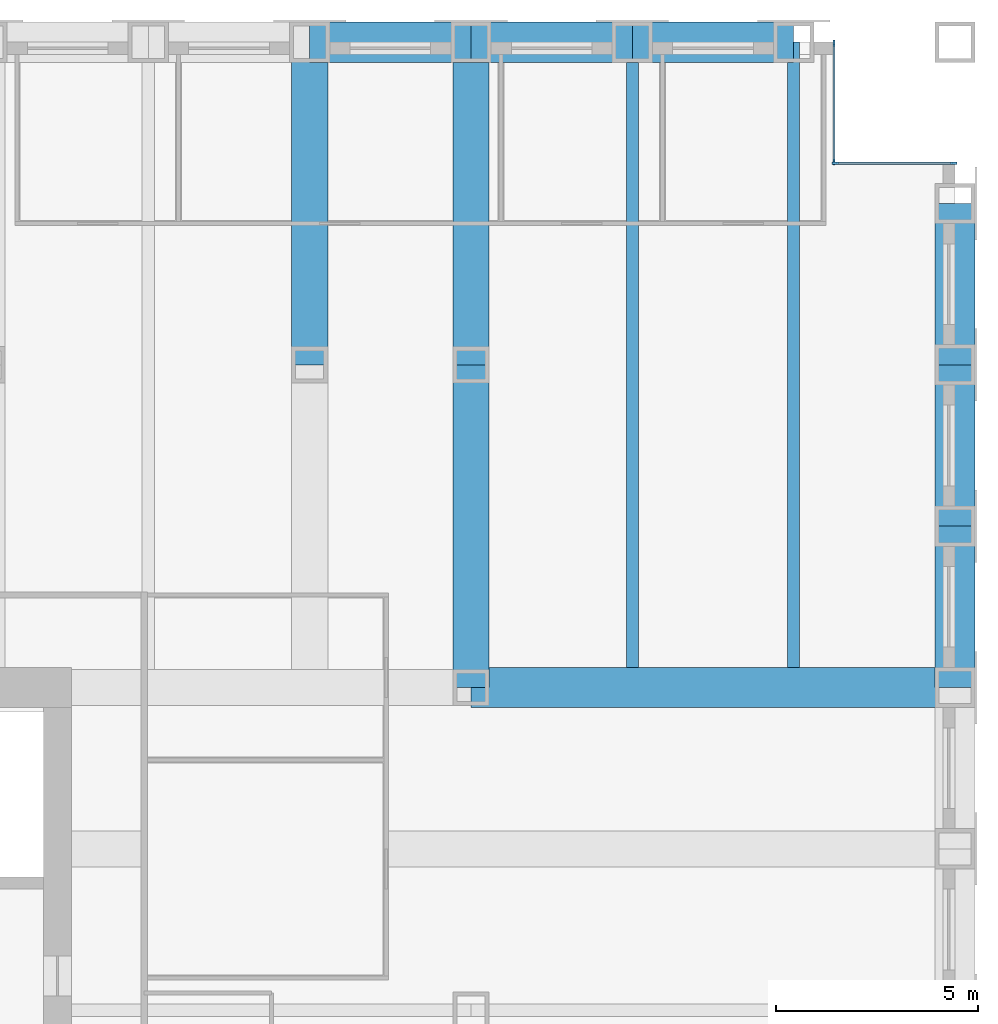
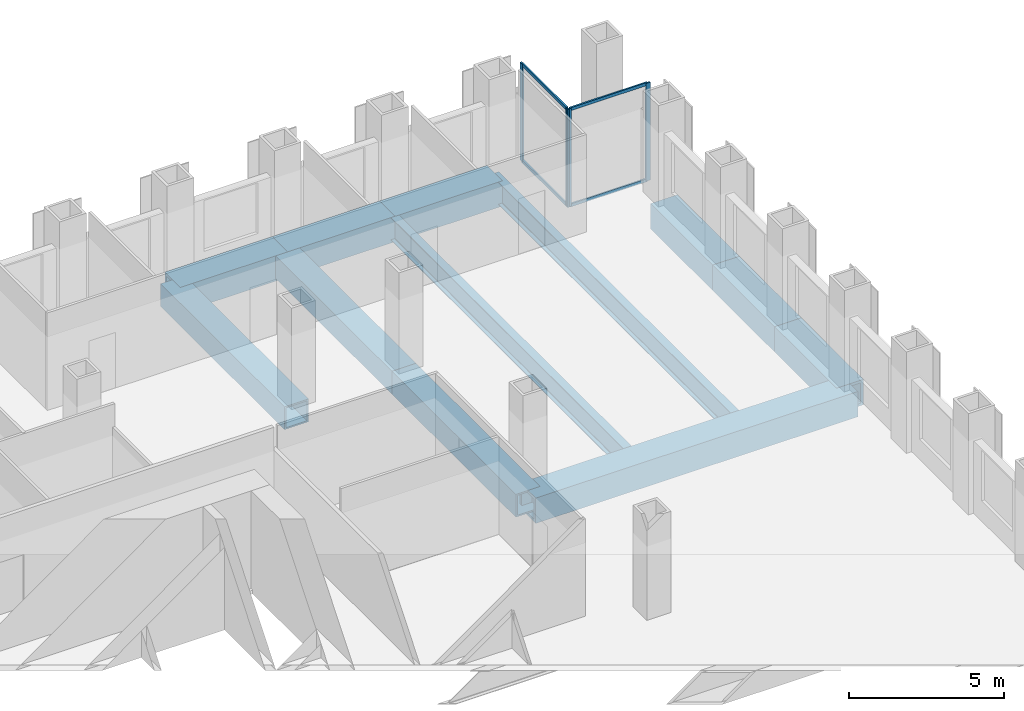
# One storey, part 9 of 15: 12 beams, 8 members, 2 elements without a shape of their own.
"""IFC4 building model written with IfcOpenShell, lengths in metres."""

from ifc_helpers import new_model, si_unit, direction, frame, origin, origin_2d, place, context, subcontext, project, spatial, rectangle, hollow_rectangle, i_section, extrude, material, material_profile, profile_set, type_object, element, aggregate, save


model = new_model("IFC4")

# Units and contexts
model_context = context("Model", 3, precision=1e-05, world=origin(), true_north=direction((0.0, 1.0)))
body_context = subcontext(model_context, "Body", "Model", "MODEL_VIEW")
ifc_project = project(units=[si_unit("LENGTHUNIT", "METRE"), si_unit("AREAUNIT", "SQUARE_METRE"), si_unit("VOLUMEUNIT", "CUBIC_METRE"), si_unit("PLANEANGLEUNIT", "RADIAN"), si_unit("MASSUNIT", "GRAM", prefix="KILO")], contexts=[model_context])

# Site, building, storey
site_placement = place(None, origin())
site = spatial("IfcSite", under=ifc_project, at=site_placement, CompositionType="ELEMENT")
building_placement = place(site_placement, origin())
building = spatial("IfcBuilding", under=site, at=building_placement, Name="Rimbunsela Tower", CompositionType="ELEMENT")
storey_placement = place(building_placement, frame((0.0, 0.0, 113.39990234375)))
storey = spatial("IfcBuildingStorey", under=building, at=storey_placement, Name="L27", CompositionType="ELEMENT", Elevation=113.39990234375)

# Beams
ifc_material_1 = material(Name="Steel BJ 55 (fy 410 MPa)", Category="steel")
ifc_material_profile_1 = material_profile(ifc_material_1, hollow_rectangle(XDim=1.0, YDim=1.0, WallThickness=0.10009765625, at=origin_2d()), Name="BOX 1000x1000x100")
ifc_profile_set_1 = profile_set([ifc_material_profile_1], Name="Steel BJ 55 (fy 410 MPa)")
beam_type_1 = type_object("IfcBeamType", Name="Beam BOX 1000x1000x100", PredefinedType="BEAM", material=ifc_profile_set_1)
beam_1_placement = place(storey_placement, frame((42.0, 52.0, -0.64990234375), z_axis=(1.0, 0.0, 0.0), x_axis=(0.0, 1.0, 0.0)))
element("IfcBeam", 1, at=beam_1_placement, inside=storey, type_object=beam_type_1, Name="Beam B3 L27", PredefinedType="BEAM", context=body_context, shape_type="SweptSolid", body=[
    extrude(hollow_rectangle(XDim=1.0, YDim=1.0, WallThickness=0.10009765625, at=origin_2d()), origin(), (0.0, 0.0, 1.0), 4.0),
])
beam_2_placement = place(storey_placement, frame((46.0, 36.0, -0.64990234375), z_axis=(1.0, 0.0, 0.0), x_axis=(0.0, 1.0, 0.0)))
element("IfcBeam", 2, at=beam_2_placement, inside=storey, type_object=beam_type_1, Name="Beam B3 L27", PredefinedType="BEAM", context=body_context, shape_type="SweptSolid", body=[
    extrude(hollow_rectangle(XDim=1.0, YDim=1.0, WallThickness=0.10009765625, at=origin_2d()), origin(), (0.0, 0.0, 1.0), 12.0),
])
for number, where, z_axis, x_axis, name in (
    (3, (46.0, 52.0, -0.64990234375), (1.0, 0.0, 0.0), (0.0, 1.0, 0.0), "Beam B3 L27"),
    (4, (50.0, 52.0, -0.64990234375), (1.0, 0.0, 0.0), (0.0, 1.0, 0.0), "Beam B3 L27"),
    (5, (58.0, 36.0, -0.64990234375), (0.0, 1.0, 0.0), (-1.0, 0.0, 0.0), "Beam B3 L27"),
    (6, (58.0, 40.0, -0.64990234375), (0.0, 1.0, 0.0), (-1.0, 0.0, 0.0), "Beam B3 L27"),
    (7, (58.0, 44.0, -0.64990234375), (0.0, 1.0, 0.0), (-1.0, 0.0, 0.0), "Beam B3 L27"),
):
    element("IfcBeam", number, at=place(storey_placement, frame(where, z_axis=z_axis, x_axis=x_axis)), inside=storey, type_object=beam_type_1, Name=name, PredefinedType="BEAM", context=body_context, shape_type="SweptSolid", body=[
        extrude(hollow_rectangle(XDim=1.0, YDim=1.0, WallThickness=0.10009765625, at=origin_2d()), origin(), (0.0, 0.0, 1.0), 4.0),
    ])
ifc_material_2 = material(Name="Steel BJ 55 (fy 410 MPa)", Category="steel")
ifc_material_profile_2 = material_profile(ifc_material_2, hollow_rectangle(XDim=0.89990234375, YDim=0.89990234375, WallThickness=0.06005859375, at=origin_2d()), Name="BOX 900x900x60")
ifc_profile_set_2 = profile_set([ifc_material_profile_2], Name="Steel BJ 55 (fy 410 MPa)")
beam_type_2 = type_object("IfcBeamType", Name="Beam BOX 900x900x60", PredefinedType="BEAM", material=ifc_profile_set_2)
for number, where, z_axis, x_axis, name in (
    (8, (42.0, 44.0, -0.599853515625), (0.0, 1.0, 0.0), (-1.0, 0.0, 0.0), "Beam B1 L27"),
    (9, (46.0, 36.0, -0.599853515625), (0.0, 1.0, 0.0), (-1.0, 0.0, 0.0), "Beam B1 L27"),
    (10, (46.0, 44.0, -0.599853515625), (0.0, 1.0, 0.0), (-1.0, 0.0, 0.0), "Beam B1 L27"),
):
    element("IfcBeam", number, at=place(storey_placement, frame(where, z_axis=z_axis, x_axis=x_axis)), inside=storey, type_object=beam_type_2, Name=name, PredefinedType="BEAM", context=body_context, shape_type="SweptSolid", body=[
        extrude(hollow_rectangle(XDim=0.89990234375, YDim=0.89990234375, WallThickness=0.06005859375, at=origin_2d()), origin(), (0.0, 0.0, 1.0), 8.0),
    ])
ifc_material_3 = material(Name="Steel BJ 55 (fy 410 MPa)", Category="steel")
ifc_material_profile_3 = material_profile(ifc_material_3, i_section(OverallWidth=0.300048828125, OverallDepth=0.89990234375, WebThickness=0.01611328125, FlangeThickness=0.028076171875, FilletRadius=0.028076171875, at=origin_2d()), Name="H 900x300x16x28")
ifc_profile_set_3 = profile_set([ifc_material_profile_3], Name="Steel BJ 55 (fy 410 MPa)")
beam_type_3 = type_object("IfcBeamType", Name="Beam H 900x300x16x28", PredefinedType="BEAM", material=ifc_profile_set_3)
for number, where, z_axis, x_axis, name in (
    (11, (50.0, 36.5, -0.599853515625), (0.0, 1.0, 0.0), (-1.0, 0.0, 0.0), "Beam B2 L27"),
    (12, (54.0, 36.5, -0.599853515625), (0.0, 1.0, 0.0), (-1.0, 0.0, 0.0), "Beam B2 L27"),
):
    element("IfcBeam", number, at=place(storey_placement, frame(where, z_axis=z_axis, x_axis=x_axis)), inside=storey, type_object=beam_type_3, Name=name, PredefinedType="BEAM", context=body_context, shape_type="SweptSolid", body=[
        extrude(i_section(OverallWidth=0.300048828125, OverallDepth=0.89990234375, WebThickness=0.01611328125, FlangeThickness=0.028076171875, FilletRadius=0.028076171875, at=origin_2d()), origin(), (0.0, 0.0, 1.0), 15.5),
    ])

# Curtain wall, members
ifc_material_4 = material(Name="Aluminium curtain wall", Category="aluminium")
curtain_wall_type = type_object("IfcCurtainWallType", Name="Corner glazing", PredefinedType="USERDEFINED", material=ifc_material_4)
curtain_wall_1_placement = place(storey_placement, origin())
curtain_wall_1 = element("IfcCurtainWall", 13, at=curtain_wall_1_placement, inside=storey, type_object=curtain_wall_type, Name="Corner glazing L27", ObjectType="CORNER GLAZING", PredefinedType="USERDEFINED")
ifc_material_5 = material(Name="Aluminium mullion", Category="aluminium")
ifc_material_profile_4 = material_profile(ifc_material_5, rectangle(XDim=0.06005859375, YDim=0.159912109375, at=origin_2d()), Name="Mullion 60x160")
ifc_profile_set_4 = profile_set([ifc_material_profile_4], Name="Aluminium mullion")
member_type_1 = type_object("IfcMemberType", Name="Curtain wall mullion 60x160", PredefinedType="MULLION", material=ifc_profile_set_4)
member_1_placement = place(storey_placement, frame((57.969970703125, 49.0, 0.0), z_axis=(0.0, 0.0, 1.0), x_axis=(0.0, -1.0, 0.0)))
member_1 = element("IfcMember", 14, at=member_1_placement, type_object=member_type_1, Name="CW5 mullion 1", PredefinedType="MULLION", context=body_context, shape_type="SweptSolid", body=[
    extrude(rectangle(XDim=0.06005859375, YDim=0.159912109375, at=origin_2d()), origin(), (0.0, 0.0, 1.0), 3.85009765625),
])
member_2_placement = place(storey_placement, frame((55.030029296875, 49.0, 0.0), z_axis=(0.0, 0.0, 1.0), x_axis=(0.0, -1.0, 0.0)))
member_2 = element("IfcMember", 15, at=member_2_placement, type_object=member_type_1, Name="CW5 mullion 2", PredefinedType="MULLION", context=body_context, shape_type="SweptSolid", body=[
    extrude(rectangle(XDim=0.06005859375, YDim=0.159912109375, at=origin_2d()), origin(), (0.0, 0.0, 1.0), 3.85009765625),
])

curtain_wall_2_placement = place(storey_placement, origin())
curtain_wall_2 = element("IfcCurtainWall", 16, at=curtain_wall_2_placement, inside=storey, type_object=curtain_wall_type, Name="Corner glazing L27", ObjectType="CORNER GLAZING", PredefinedType="USERDEFINED")
member_3_placement = place(storey_placement, frame((55.0, 49.030029296875, 0.0), z_axis=(0.0, 0.0, 1.0), x_axis=(-1.0, 0.0, 0.0)))
member_3 = element("IfcMember", 17, at=member_3_placement, type_object=member_type_1, Name="CW5 mullion 1", PredefinedType="MULLION", context=body_context, shape_type="SweptSolid", body=[
    extrude(rectangle(XDim=0.06005859375, YDim=0.159912109375, at=origin_2d()), origin(), (0.0, 0.0, 1.0), 3.85009765625),
])
member_4_placement = place(storey_placement, frame((55.0, 51.969970703125, 0.0), z_axis=(0.0, 0.0, 1.0), x_axis=(-1.0, 0.0, 0.0)))
member_4 = element("IfcMember", 18, at=member_4_placement, type_object=member_type_1, Name="CW5 mullion 2", PredefinedType="MULLION", context=body_context, shape_type="SweptSolid", body=[
    extrude(rectangle(XDim=0.06005859375, YDim=0.159912109375, at=origin_2d()), origin(), (0.0, 0.0, 1.0), 3.85009765625),
])

# Member
ifc_material_6 = material(Name="Aluminium transom", Category="aluminium")
ifc_material_profile_5 = material_profile(ifc_material_6, rectangle(XDim=0.06005859375, YDim=0.1201171875, at=origin_2d()), Name="Transom 60x120")
ifc_profile_set_5 = profile_set([ifc_material_profile_5], Name="Aluminium transom")
member_type_2 = type_object("IfcMemberType", Name="Curtain wall transom 60x120", PredefinedType="USERDEFINED", material=ifc_profile_set_5)
member_5_placement = place(storey_placement, frame((57.93994140625, 49.0, 0.030029296875), z_axis=(-1.0, 0.0, 0.0), x_axis=(0.0, -1.0, 0.0)))
member_5 = element("IfcMember", 19, at=member_5_placement, type_object=member_type_2, Name="CW5 transom 1.1", ObjectType="TRANSOM", PredefinedType="USERDEFINED", context=body_context, shape_type="SweptSolid", body=[
    extrude(rectangle(XDim=0.06005859375, YDim=0.1201171875, at=origin_2d()), origin(), (0.0, 0.0, 1.0), 2.8798828125),
])

member_6_placement = place(storey_placement, frame((57.93994140625, 49.0, 3.820068359375), z_axis=(-1.0, 0.0, 0.0), x_axis=(0.0, -1.0, 0.0)))
member_6 = element("IfcMember", 20, at=member_6_placement, type_object=member_type_2, Name="CW5 transom 1.2", ObjectType="TRANSOM", PredefinedType="USERDEFINED", context=body_context, shape_type="SweptSolid", body=[
    extrude(rectangle(XDim=0.06005859375, YDim=0.1201171875, at=origin_2d()), origin(), (0.0, 0.0, 1.0), 2.8798828125),
])

aggregate(curtain_wall_1, [member_1, member_2, member_5, member_6])

member_7_placement = place(storey_placement, frame((55.0, 49.06005859375, 0.030029296875), z_axis=(0.0, 1.0, 0.0), x_axis=(-1.0, 0.0, 0.0)))
member_7 = element("IfcMember", 21, at=member_7_placement, type_object=member_type_2, Name="CW5 transom 1.1", ObjectType="TRANSOM", PredefinedType="USERDEFINED", context=body_context, shape_type="SweptSolid", body=[
    extrude(rectangle(XDim=0.06005859375, YDim=0.1201171875, at=origin_2d()), origin(), (0.0, 0.0, 1.0), 2.8798828125),
])

member_8_placement = place(storey_placement, frame((55.0, 49.06005859375, 3.820068359375), z_axis=(0.0, 1.0, 0.0), x_axis=(-1.0, 0.0, 0.0)))
member_8 = element("IfcMember", 22, at=member_8_placement, type_object=member_type_2, Name="CW5 transom 1.2", ObjectType="TRANSOM", PredefinedType="USERDEFINED", context=body_context, shape_type="SweptSolid", body=[
    extrude(rectangle(XDim=0.06005859375, YDim=0.1201171875, at=origin_2d()), origin(), (0.0, 0.0, 1.0), 2.8798828125),
])

aggregate(curtain_wall_2, [member_3, member_4, member_7, member_8])

save(model, "model.ifc")
